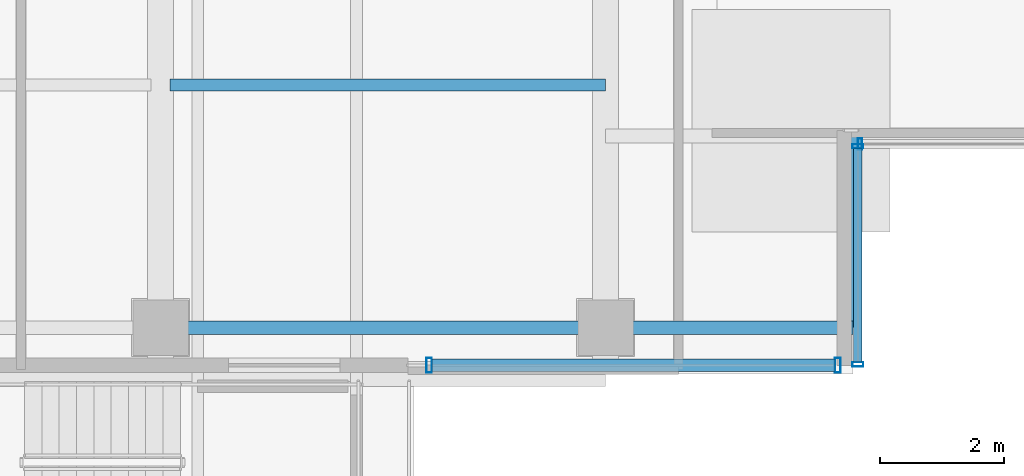
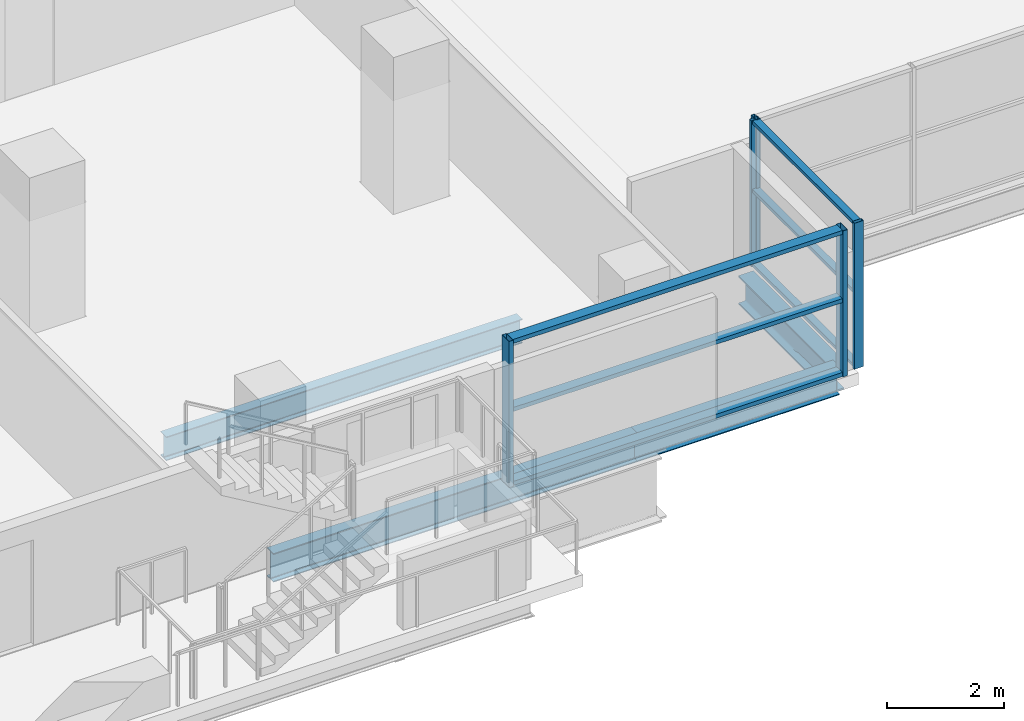
# One storey, part 3 of 32: 11 members, 4 beams, 3 elements without a shape of their own.
"""IFC4 building model written with IfcOpenShell, lengths in metres."""

from ifc_helpers import new_model, si_unit, direction, frame, origin, origin_2d, place, context, subcontext, project, spatial, hollow_rectangle, i_section, extrude, source, transform, mapped, material, layer, layer_set, material_profile, profile_set, type_object, element, aggregate, save


model = new_model("IFC4")

# Units and contexts
model_context = context("Model", 3, precision=1e-05, world=origin(), true_north=direction((0.0, 1.0)))
body_context = subcontext(model_context, "Body", "Model", "MODEL_VIEW")
ifc_project = project(units=[si_unit("LENGTHUNIT", "METRE"), si_unit("AREAUNIT", "SQUARE_METRE"), si_unit("VOLUMEUNIT", "CUBIC_METRE"), si_unit("PLANEANGLEUNIT", "RADIAN"), si_unit("MASSUNIT", "GRAM", prefix="KILO")], contexts=[model_context])

# Site, building, storey
site_placement = place(None, origin())
site = spatial("IfcSite", under=ifc_project, at=site_placement, CompositionType="ELEMENT")
building_placement = place(site_placement, origin())
building = spatial("IfcBuilding", under=site, at=building_placement, Name="Zarnakvel Exchange Tower", CompositionType="ELEMENT")
storey_placement = place(building_placement, frame((0.0, 0.0, 27.39990234375)))
storey = spatial("IfcBuildingStorey", under=building, at=storey_placement, Name="L06", CompositionType="ELEMENT", Elevation=27.39990234375)

# Beams
ifc_material_1 = material(Name="Steel S355", Category="steel")
ifc_material_profile_1 = material_profile(ifc_material_1, i_section(OverallWidth=0.199951171875, OverallDepth=0.5, WebThickness=0.01025390625, FlangeThickness=0.01611328125, FilletRadius=0.02099609375, at=origin_2d()))
ifc_profile_set_1 = profile_set([ifc_material_profile_1], Name="Steel S355")
beam_type_1 = type_object("IfcBeamType", Name="B-04", PredefinedType="JOIST", material=ifc_profile_set_1)
beam_1_placement = place(storey_placement, frame((-14.2451171875, -13.52490234375, -0.5), z_axis=(1.0, 0.0, 0.0), x_axis=(0.0, 1.0, 0.0)))
element("IfcBeam", 1, at=beam_1_placement, inside=storey, type_object=beam_type_1, Name="L06 Composite Floor Secondary Joist", PredefinedType="JOIST", context=body_context, shape_type="SweptSolid", body=[
    extrude(i_section(OverallWidth=0.199951171875, OverallDepth=0.5, WebThickness=0.01025390625, FlangeThickness=0.01611328125, FilletRadius=0.02099609375, at=origin_2d()), origin(), (0.0, 0.0, 1.0), 7.045166015625),
])
ifc_material_profile_2 = material_profile(ifc_material_1, i_section(OverallWidth=0.300048828125, OverallDepth=0.60009765625, WebThickness=0.015380859375, FlangeThickness=0.030029296875, FilletRadius=0.027099609375, at=origin_2d()))
ifc_profile_set_2 = profile_set([ifc_material_profile_2], Name="Steel S355")
beam_type_2 = type_object("IfcBeamType", Name="G-04", PredefinedType="BEAM", material=ifc_profile_set_2)
beam_2_placement = place(storey_placement, frame((-3.199951171875, -17.449951171875, -0.5498046875), z_axis=(0.0, 1.0, 0.0), x_axis=(-1.0, 0.0, 0.0)))
element("IfcBeam", 2, at=beam_2_placement, inside=storey, type_object=beam_type_2, Name="L06 South Slot West Cheek Beam", PredefinedType="BEAM", context=body_context, shape_type="SweptSolid", body=[
    extrude(i_section(OverallWidth=0.300048828125, OverallDepth=0.60009765625, WebThickness=0.015380859375, FlangeThickness=0.030029296875, FilletRadius=0.027099609375, at=origin_2d()), origin(), (0.0, 0.0, 1.0), 3.099853515625),
])
ifc_material_profile_3 = material_profile(ifc_material_1, i_section(OverallWidth=0.219970703125, OverallDepth=0.60009765625, WebThickness=0.011962890625, FlangeThickness=0.01904296875, FilletRadius=0.02392578125, at=origin_2d()))
ifc_profile_set_3 = profile_set([ifc_material_profile_3], Name="Steel S355")
beam_type_3 = type_object("IfcBeamType", Name="SP-01", PredefinedType="SPANDREL", material=ifc_profile_set_3)
beam_3_placement = place(storey_placement, frame((-14.39990234375, -17.449951171875, -0.5498046875), z_axis=(1.0, 0.0, 0.0), x_axis=(0.0, 1.0, 0.0)))
element("IfcBeam", 3, at=beam_3_placement, inside=storey, type_object=beam_type_3, Name="L06 Tower E-W Frame Beam", PredefinedType="SPANDREL", context=body_context, shape_type="SweptSolid", body=[
    extrude(i_section(OverallWidth=0.219970703125, OverallDepth=0.60009765625, WebThickness=0.011962890625, FlangeThickness=0.01904296875, FilletRadius=0.02392578125, at=origin_2d()), origin(), (0.0, 0.0, 1.0), 7.199951171875),
])
beam_4_placement = place(storey_placement, frame((-7.199951171875, -17.449951171875, -0.5498046875), z_axis=(1.0, 0.0, 0.0), x_axis=(0.0, 1.0, 0.0)))
element("IfcBeam", 4, at=beam_4_placement, inside=storey, type_object=beam_type_3, Name="L06 South Slot West Jamb Spandrel", PredefinedType="SPANDREL", context=body_context, shape_type="SweptSolid", body=[
    extrude(i_section(OverallWidth=0.219970703125, OverallDepth=0.60009765625, WebThickness=0.011962890625, FlangeThickness=0.01904296875, FilletRadius=0.02392578125, at=origin_2d()), origin(), (0.0, 0.0, 1.0), 4.0),
])

# Curtain wall, members
ifc_material_2 = material(Name="Architectural Bronze Anodised Aluminium", Category="aluminium")
ifc_layer_1 = layer(ifc_material_2, 0.179931640625)
ifc_layer_set_1 = layer_set([ifc_layer_1], Name="Architectural Bronze Anodised Aluminium")
curtain_wall_type_1 = type_object("IfcCurtainWallType", Name="CW-05", PredefinedType="NOTDEFINED", material=ifc_layer_set_1)
curtain_wall_1_placement = place(storey_placement, origin())
curtain_wall_1 = element("IfcCurtainWall", 5, at=curtain_wall_1_placement, inside=storey, type_object=curtain_wall_type_1, Name="L06 Curtain Wall CW-L06-SLW (CW-05)", PredefinedType="NOTDEFINED")
ifc_material_profile_4 = material_profile(ifc_material_2, hollow_rectangle(XDim=0.179931640625, YDim=0.070068359375, WallThickness=0.00390625, at=origin_2d()))
ifc_profile_set_4 = profile_set([ifc_material_profile_4], Name="Architectural Bronze Anodised Aluminium")
member_type_1 = type_object("IfcMemberType", Name="CWM-05", PredefinedType="MULLION", material=ifc_profile_set_4)
shared_shape_1 = source(origin(), body_context, "Body", "SweptSolid", [
    extrude(hollow_rectangle(XDim=0.179931640625, YDim=0.070068359375, WallThickness=0.00390625, at=origin_2d()), origin(), (0.0, 0.0, 1.0), 3.05517578125),
])
member_1_placement = place(storey_placement, frame((-3.1201171875, -18.044921875, 0.0), z_axis=(0.0, 0.0, 1.0), x_axis=(-1.0, 0.0, 0.0)))
member_1 = element("IfcMember", 6, at=member_1_placement, type_object=member_type_1, Name="CW-05 mullion 1", PredefinedType="MULLION", context=body_context, shape_type="MappedRepresentation", body=[
    mapped(shared_shape_1, transform((0.0, 0.0, 0.0), x_axis=(1.0, 0.0, 0.0), y_axis=(0.0, 1.0, 0.0), z_axis=(0.0, 0.0, 1.0), scale=1.0)),
])
member_2_placement = place(storey_placement, frame((-3.1201171875, -14.514892578125, 0.0), z_axis=(0.0, 0.0, 1.0), x_axis=(-1.0, 0.0, 0.0)))
member_2 = element("IfcMember", 7, at=member_2_placement, type_object=member_type_1, Name="CW-05 mullion 2", PredefinedType="MULLION", context=body_context, shape_type="MappedRepresentation", body=[
    mapped(shared_shape_1, transform((0.0, 0.0, 0.0), x_axis=(1.0, 0.0, 0.0), y_axis=(0.0, 1.0, 0.0), z_axis=(0.0, 0.0, 1.0), scale=1.0)),
])

# Curtain wall, member
curtain_wall_2_placement = place(storey_placement, origin())
curtain_wall_2 = element("IfcCurtainWall", 8, at=curtain_wall_2_placement, inside=storey, type_object=curtain_wall_type_1, Name="L06 Curtain Wall CW-L06-SLB (CW-05)", PredefinedType="NOTDEFINED")
member_3_placement = place(storey_placement, frame((-3.0849609375, -14.47998046875, 0.0), z_axis=(0.0, 0.0, 1.0), x_axis=(0.0, 1.0, 0.0)))
member_3 = element("IfcMember", 9, at=member_3_placement, type_object=member_type_1, Name="CW-05 mullion 1", PredefinedType="MULLION", context=body_context, shape_type="MappedRepresentation", body=[
    mapped(shared_shape_1, transform((0.0, 0.0, 0.0), x_axis=(1.0, 0.0, 0.0), y_axis=(0.0, 1.0, 0.0), z_axis=(0.0, 0.0, 1.0), scale=1.0)),
])
aggregate(curtain_wall_2, [member_3])

# Member
ifc_material_profile_5 = material_profile(ifc_material_2, hollow_rectangle(XDim=0.139892578125, YDim=0.070068359375, WallThickness=0.00390625, at=origin_2d()))
ifc_profile_set_5 = profile_set([ifc_material_profile_5], Name="Architectural Bronze Anodised Aluminium")
member_type_2 = type_object("IfcMemberType", Name="CWT-05", PredefinedType="USERDEFINED", material=ifc_profile_set_5)
shared_shape_2 = source(origin(), body_context, "Body", "SweptSolid", [
    extrude(hollow_rectangle(XDim=0.139892578125, YDim=0.070068359375, WallThickness=0.00390625, at=origin_2d()), origin(), (0.0, 0.0, 1.0), 3.4599609375),
])
member_4_placement = place(storey_placement, frame((-3.1201171875, -18.010009765625, 0.03515625), z_axis=(0.0, 1.0, 0.0), x_axis=(-1.0, 0.0, 0.0)))
member_4 = element("IfcMember", 10, at=member_4_placement, type_object=member_type_2, Name="CW-05 transom 1.1", ObjectType="TRANSOM", PredefinedType="USERDEFINED", context=body_context, shape_type="MappedRepresentation", body=[
    mapped(shared_shape_2, transform((0.0, 0.0, 0.0), x_axis=(1.0, 0.0, 0.0), y_axis=(0.0, 1.0, 0.0), z_axis=(0.0, 0.0, 1.0), scale=1.0)),
])

member_5_placement = place(storey_placement, frame((-3.1201171875, -18.010009765625, 1.588623046875), z_axis=(0.0, 1.0, 0.0), x_axis=(-1.0, 0.0, 0.0)))
member_5 = element("IfcMember", 11, at=member_5_placement, type_object=member_type_2, Name="CW-05 transom 1.2", ObjectType="TRANSOM", PredefinedType="USERDEFINED", context=body_context, shape_type="MappedRepresentation", body=[
    mapped(shared_shape_2, transform((0.0, 0.0, 0.0), x_axis=(1.0, 0.0, 0.0), y_axis=(0.0, 1.0, 0.0), z_axis=(0.0, 0.0, 1.0), scale=1.0)),
])

member_6_placement = place(storey_placement, frame((-3.1201171875, -18.010009765625, 3.02001953125), z_axis=(0.0, 1.0, 0.0), x_axis=(-1.0, 0.0, 0.0)))
member_6 = element("IfcMember", 12, at=member_6_placement, type_object=member_type_2, Name="CW-05 transom 1.3", ObjectType="TRANSOM", PredefinedType="USERDEFINED", context=body_context, shape_type="MappedRepresentation", body=[
    mapped(shared_shape_2, transform((0.0, 0.0, 0.0), x_axis=(1.0, 0.0, 0.0), y_axis=(0.0, 1.0, 0.0), z_axis=(0.0, 0.0, 1.0), scale=1.0)),
])

aggregate(curtain_wall_1, [member_1, member_2, member_4, member_5, member_6])

# Curtain wall, members
ifc_layer_2 = layer(ifc_material_2, 0.239990234375)
ifc_layer_set_2 = layer_set([ifc_layer_2], Name="Architectural Bronze Anodised Aluminium")
curtain_wall_type_2 = type_object("IfcCurtainWallType", Name="CW-02", PredefinedType="NOTDEFINED", material=ifc_layer_set_2)
curtain_wall_3_placement = place(storey_placement, origin())
curtain_wall_3 = element("IfcCurtainWall", 13, at=curtain_wall_3_placement, inside=storey, type_object=curtain_wall_type_2, Name="L06 Curtain Wall CW-L06-SW (CW-02)", PredefinedType="NOTDEFINED")
ifc_material_profile_6 = material_profile(ifc_material_2, hollow_rectangle(XDim=0.239990234375, YDim=0.090087890625, WallThickness=0.006103515625, at=origin_2d()))
ifc_profile_set_6 = profile_set([ifc_material_profile_6], Name="Architectural Bronze Anodised Aluminium")
member_type_3 = type_object("IfcMemberType", Name="CWM-02", PredefinedType="MULLION", material=ifc_profile_set_6)
shared_shape_3 = source(origin(), body_context, "Body", "SweptSolid", [
    extrude(hollow_rectangle(XDim=0.239990234375, YDim=0.090087890625, WallThickness=0.006103515625, at=origin_2d()), origin(), (0.0, 0.0, 1.0), 3.05517578125),
])
member_7_placement = place(storey_placement, frame((-10.054931640625, -18.06005859375, 0.0), z_axis=(0.0, 0.0, 1.0), x_axis=(0.0, 1.0, 0.0)))
member_7 = element("IfcMember", 14, at=member_7_placement, type_object=member_type_3, Name="CW-02 mullion 1", PredefinedType="MULLION", context=body_context, shape_type="MappedRepresentation", body=[
    mapped(shared_shape_3, transform((0.0, 0.0, 0.0), x_axis=(1.0, 0.0, 0.0), y_axis=(0.0, 1.0, 0.0), z_axis=(0.0, 0.0, 1.0), scale=1.0)),
])
member_8_placement = place(storey_placement, frame((-3.445068359375, -18.06005859375, 0.0), z_axis=(0.0, 0.0, 1.0), x_axis=(0.0, 1.0, 0.0)))
member_8 = element("IfcMember", 15, at=member_8_placement, type_object=member_type_3, Name="CW-02 mullion 2", PredefinedType="MULLION", context=body_context, shape_type="MappedRepresentation", body=[
    mapped(shared_shape_3, transform((0.0, 0.0, 0.0), x_axis=(1.0, 0.0, 0.0), y_axis=(0.0, 1.0, 0.0), z_axis=(0.0, 0.0, 1.0), scale=1.0)),
])
ifc_material_profile_7 = material_profile(ifc_material_2, hollow_rectangle(XDim=0.199951171875, YDim=0.0849609375, WallThickness=0.0048828125, at=origin_2d()))
ifc_profile_set_7 = profile_set([ifc_material_profile_7], Name="Architectural Bronze Anodised Aluminium")
member_type_4 = type_object("IfcMemberType", Name="CWT-02", PredefinedType="USERDEFINED", material=ifc_profile_set_7)
shared_shape_4 = source(origin(), body_context, "Body", "SweptSolid", [
    extrude(hollow_rectangle(XDim=0.199951171875, YDim=0.0849609375, WallThickness=0.0048828125, at=origin_2d()), origin(), (0.0, 0.0, 1.0), 6.52001953125),
])
member_9_placement = place(storey_placement, frame((-10.010009765625, -18.06005859375, 0.04248046875), z_axis=(1.0, 0.0, 0.0), x_axis=(0.0, 1.0, 0.0)))
member_9 = element("IfcMember", 16, at=member_9_placement, type_object=member_type_4, Name="CW-02 transom 1.1", ObjectType="TRANSOM", PredefinedType="USERDEFINED", context=body_context, shape_type="MappedRepresentation", body=[
    mapped(shared_shape_4, transform((0.0, 0.0, 0.0), x_axis=(1.0, 0.0, 0.0), y_axis=(0.0, 1.0, 0.0), z_axis=(0.0, 0.0, 1.0), scale=1.0)),
])
member_10_placement = place(storey_placement, frame((-10.010009765625, -18.06005859375, 1.588623046875), z_axis=(1.0, 0.0, 0.0), x_axis=(0.0, 1.0, 0.0)))
member_10 = element("IfcMember", 17, at=member_10_placement, type_object=member_type_4, Name="CW-02 transom 1.2", ObjectType="TRANSOM", PredefinedType="USERDEFINED", context=body_context, shape_type="MappedRepresentation", body=[
    mapped(shared_shape_4, transform((0.0, 0.0, 0.0), x_axis=(1.0, 0.0, 0.0), y_axis=(0.0, 1.0, 0.0), z_axis=(0.0, 0.0, 1.0), scale=1.0)),
])
member_11_placement = place(storey_placement, frame((-10.010009765625, -18.06005859375, 3.0126953125), z_axis=(1.0, 0.0, 0.0), x_axis=(0.0, 1.0, 0.0)))
member_11 = element("IfcMember", 18, at=member_11_placement, type_object=member_type_4, Name="CW-02 transom 1.3", ObjectType="TRANSOM", PredefinedType="USERDEFINED", context=body_context, shape_type="MappedRepresentation", body=[
    mapped(shared_shape_4, transform((0.0, 0.0, 0.0), x_axis=(1.0, 0.0, 0.0), y_axis=(0.0, 1.0, 0.0), z_axis=(0.0, 0.0, 1.0), scale=1.0)),
])
aggregate(curtain_wall_3, [member_7, member_8, member_9, member_10, member_11])

save(model, "model.ifc")
